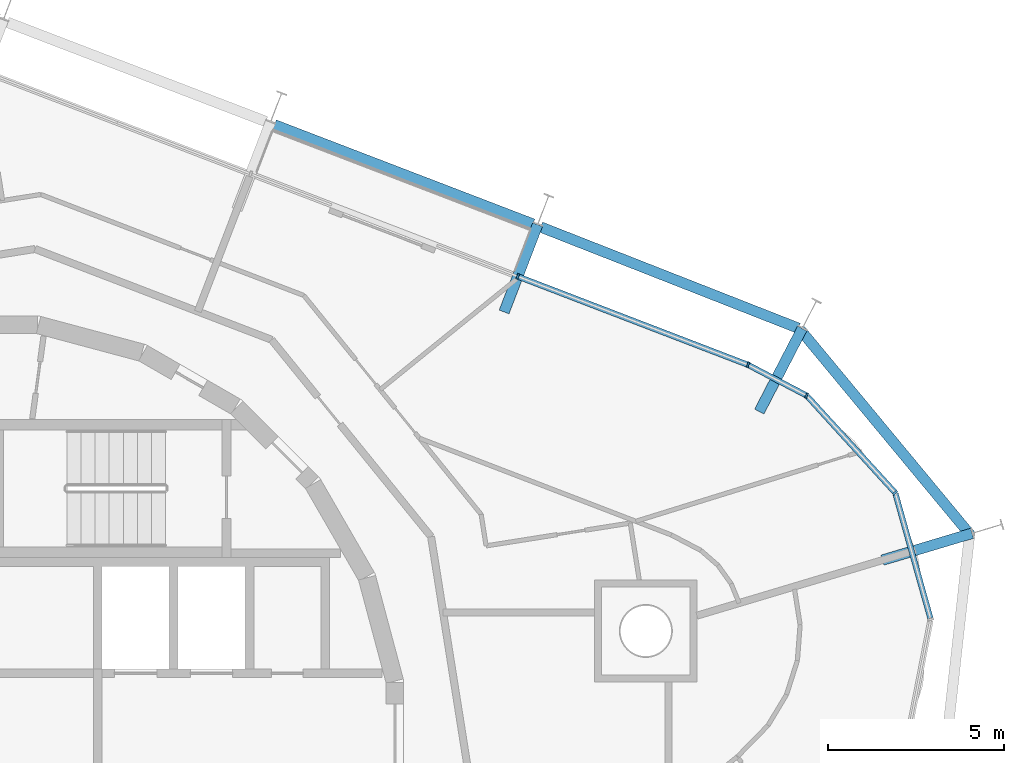
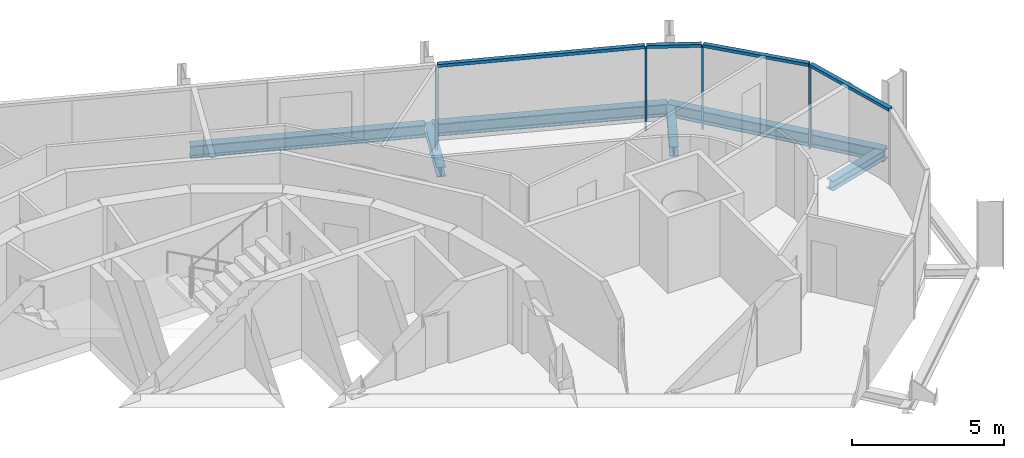
# One storey, part 9 of 17: 8 members, 6 beams, 2 elements without a shape of their own.
"""IFC4 building model written with IfcOpenShell, lengths in metres."""

from ifc_helpers import new_model, si_unit, direction, frame, origin, origin_2d, place, context, subcontext, project, spatial, rectangle, i_section, extrude, material, layer, layer_set, material_profile, profile_set, type_object, element, aggregate, save


model = new_model("IFC4")

# Units and contexts
model_context = context("Model", 3, precision=1e-05, world=origin(), true_north=direction((0.0, 1.0)))
body_context = subcontext(model_context, "Body", "Model", "MODEL_VIEW")
ifc_project = project(units=[si_unit("LENGTHUNIT", "METRE"), si_unit("AREAUNIT", "SQUARE_METRE"), si_unit("VOLUMEUNIT", "CUBIC_METRE"), si_unit("PLANEANGLEUNIT", "RADIAN"), si_unit("MASSUNIT", "GRAM", prefix="KILO")], contexts=[model_context])

# Site, building, storey
site_placement = place(None, origin())
site = spatial("IfcSite", under=ifc_project, at=site_placement, CompositionType="ELEMENT")
building_placement = place(site_placement, origin())
building = spatial("IfcBuilding", under=site, at=building_placement, Name="Spindle Arch Residences", CompositionType="ELEMENT")
storey_placement = place(building_placement, frame((0.0, 0.0, 287.89990234375)))
storey = spatial("IfcBuildingStorey", under=building, at=storey_placement, Name="L74", CompositionType="ELEMENT", Elevation=287.89990234375)

# Curtain wall, members
ifc_material_1 = material(Name="Aluminium bronze unitised frame with tinted glass", Category="aluminium")
ifc_layer_1 = layer(ifc_material_1, 0.159912109375)
ifc_layer_set_1 = layer_set([ifc_layer_1], Name="CW-D corner wall on the fillet arcs")
curtain_wall_type_1 = type_object("IfcCurtainWallType", Name="CW-D corner wall on the fillet arcs", PredefinedType="NOTDEFINED", material=ifc_layer_set_1)
curtain_wall_1_placement = place(storey_placement, origin())
curtain_wall_1 = element("IfcCurtainWall", 1, at=curtain_wall_1_placement, inside=storey, type_object=curtain_wall_type_1, Name="CW-D L74 run 1", PredefinedType="NOTDEFINED")
ifc_material_2 = material(Name="Aluminium bronze anodised mullion", Category="aluminium")
ifc_material_profile_1 = material_profile(ifc_material_2, rectangle(XDim=0.159912109375, YDim=0.06005859375, at=origin_2d()), Name="MU 60x160")
ifc_profile_set_1 = profile_set([ifc_material_profile_1], Name="Aluminium bronze anodised mullion")
member_type_1 = type_object("IfcMemberType", Name="Bronze mullion 60x160", PredefinedType="MULLION", material=ifc_profile_set_1)
member_1_placement = place(storey_placement, frame((25.826171875, 6.888427734375, -0.3798828125), z_axis=(0.0, 0.0, 1.0), x_axis=(-0.73923942464, -0.673442702134, 0.0)))
member_1 = element("IfcMember", 2, at=member_1_placement, type_object=member_type_1, Name="CW-D mullion 04", PredefinedType="MULLION", context=body_context, shape_type="SweptSolid", body=[
    extrude(rectangle(XDim=0.159912109375, YDim=0.06005859375, at=origin_2d()), origin(), (0.0, 0.0, 1.0), 3.31005859375),
])
member_2_placement = place(storey_placement, frame((23.316650390625, 9.643310546875, -0.3798828125), z_axis=(0.0, 0.0, 1.0), x_axis=(-0.464326860783, -0.885663912754, 0.0)))
member_2 = element("IfcMember", 3, at=member_2_placement, type_object=member_type_1, Name="CW-D mullion 05", PredefinedType="MULLION", context=body_context, shape_type="SweptSolid", body=[
    extrude(rectangle(XDim=0.159912109375, YDim=0.06005859375, at=origin_2d()), origin(), (0.0, 0.0, 1.0), 3.31005859375),
])
member_3_placement = place(storey_placement, frame((21.655029296875, 10.514404296875, -0.3798828125), z_axis=(0.0, 0.0, 1.0), x_axis=(-0.358367949545, -0.933580426497, 0.0)))
member_3 = element("IfcMember", 4, at=member_3_placement, type_object=member_type_1, Name="CW-D mullion 06", PredefinedType="MULLION", context=body_context, shape_type="SweptSolid", body=[
    extrude(rectangle(XDim=0.159912109375, YDim=0.06005859375, at=origin_2d()), origin(), (0.0, 0.0, 1.0), 3.31005859375),
])

# Curtain wall, member
ifc_material_3 = material(Name="Aluminium bronze unitised frame with tinted glass", Category="aluminium")
ifc_layer_2 = layer(ifc_material_3, 0.159912109375)
ifc_layer_set_2 = layer_set([ifc_layer_2], Name="CW-C typical residential unitised wall")
curtain_wall_type_2 = type_object("IfcCurtainWallType", Name="CW-C typical residential unitised wall", PredefinedType="NOTDEFINED", material=ifc_layer_set_2)
curtain_wall_2_placement = place(storey_placement, origin())
curtain_wall_2 = element("IfcCurtainWall", 5, at=curtain_wall_2_placement, inside=storey, type_object=curtain_wall_type_2, Name="CW-C L74 run 2", PredefinedType="NOTDEFINED")
member_4_placement = place(storey_placement, frame((15.12939453125, 13.01953125, -0.3798828125), z_axis=(0.0, 0.0, 1.0), x_axis=(-0.358367949545, -0.933580426497, 0.0)))
member_4 = element("IfcMember", 6, at=member_4_placement, type_object=member_type_1, Name="CW-C mullion 05", PredefinedType="MULLION", context=body_context, shape_type="SweptSolid", body=[
    extrude(rectangle(XDim=0.159912109375, YDim=0.06005859375, at=origin_2d()), origin(), (0.0, 0.0, 1.0), 3.31005859375),
])
aggregate(curtain_wall_2, [member_4])

# Member
ifc_material_4 = material(Name="Aluminium bronze anodised transom", Category="aluminium")
ifc_material_profile_2 = material_profile(ifc_material_4, rectangle(XDim=0.159912109375, YDim=0.1201171875, at=origin_2d()), Name="TR 120x160")
ifc_profile_set_2 = profile_set([ifc_material_profile_2], Name="Aluminium bronze anodised transom")
member_type_2 = type_object("IfcMemberType", Name="Bronze transom 120x160", PredefinedType="USERDEFINED", material=ifc_profile_set_2)
member_5_placement = place(storey_placement, frame((26.824462890625, 3.3291015625, 2.989990234375), z_axis=(-0.26999542292, 0.962861605633, 0.0), x_axis=(-0.962861605633, -0.26999542292, 0.0)))
member_5 = element("IfcMember", 7, at=member_5_placement, type_object=member_type_2, Name="CW-D transom 03", ObjectType="TRANSOM", PredefinedType="USERDEFINED", context=body_context, shape_type="SweptSolid", body=[
    extrude(rectangle(XDim=0.159912109375, YDim=0.1201171875, at=origin_2d()), origin(), (0.0, 0.0, 1.0), 3.666748046875),
])

member_6_placement = place(storey_placement, frame((25.80615234375, 6.91064453125, 2.989990234375), z_axis=(-0.673451190177, 0.739231691995, 0.0), x_axis=(-0.739231691995, -0.673451190177, 0.0)))
member_6 = element("IfcMember", 8, at=member_6_placement, type_object=member_type_2, Name="CW-D transom 04", ObjectType="TRANSOM", PredefinedType="USERDEFINED", context=body_context, shape_type="SweptSolid", body=[
    extrude(rectangle(XDim=0.159912109375, YDim=0.1201171875, at=origin_2d()), origin(), (0.0, 0.0, 1.0), 3.6669921875),
])

member_7_placement = place(storey_placement, frame((23.2900390625, 9.6572265625, 2.989990234375), z_axis=(-0.885657808089, 0.464338504726, 0.0), x_axis=(-0.464338504726, -0.885657808089, 0.0)))
member_7 = element("IfcMember", 9, at=member_7_placement, type_object=member_type_2, Name="CW-D transom 05", ObjectType="TRANSOM", PredefinedType="USERDEFINED", context=body_context, shape_type="SweptSolid", body=[
    extrude(rectangle(XDim=0.159912109375, YDim=0.1201171875, at=origin_2d()), origin(), (0.0, 0.0, 1.0), 1.816162109375),
])

member_8_placement = place(storey_placement, frame((21.626953125, 10.525390625, 2.989990234375), z_axis=(-0.933580580487, 0.358367548387, 0.0), x_axis=(-0.358367548387, -0.933580580487, 0.0)))
member_8 = element("IfcMember", 10, at=member_8_placement, type_object=member_type_2, Name="CW-D transom 06", ObjectType="TRANSOM", PredefinedType="USERDEFINED", context=body_context, shape_type="SweptSolid", body=[
    extrude(rectangle(XDim=0.159912109375, YDim=0.1201171875, at=origin_2d()), origin(), (0.0, 0.0, 1.0), 6.9296875),
])

aggregate(curtain_wall_1, [member_5, member_1, member_6, member_2, member_7, member_3, member_8])

# Beams
ifc_material_5 = material(Name="Steel S460ML, intumescent coating R 120", Category="steel")
ifc_material_profile_3 = material_profile(ifc_material_5, i_section(OverallWidth=0.300048828125, OverallDepth=0.5, WebThickness=0.014404296875, FlangeThickness=0.028076171875, FilletRadius=0.027099609375, at=origin_2d()), Name="HEB 500")
ifc_profile_set_3 = profile_set([ifc_material_profile_3], Name="Steel S460ML, intumescent coating R 120")
beam_type_1 = type_object("IfcBeamType", Name="Exoskeleton edge beam HEB 500", PredefinedType="BEAM", material=ifc_profile_set_3)
beam_1_placement = place(storey_placement, frame((27.982666015625, 5.661376953125, -0.6298828125), z_axis=(-0.638234616569, 0.769841915079, 0.0), x_axis=(-0.769841915079, -0.638234616569, 0.0)))
element("IfcBeam", 11, at=beam_1_placement, inside=storey, type_object=beam_type_1, Name="Exoskeleton edge beam 4", PredefinedType="BEAM", context=body_context, shape_type="SweptSolid", body=[
    extrude(i_section(OverallWidth=0.300048828125, OverallDepth=0.5, WebThickness=0.014404296875, FlangeThickness=0.028076171875, FilletRadius=0.027099609375, at=origin_2d()), origin(), (0.0, 0.0, 1.0), 7.6318359375),
])
beam_2_placement = place(storey_placement, frame((23.080810546875, 11.552490234375, -0.6298828125), z_axis=(-0.930820691929, 0.365476181818, 0.0), x_axis=(-0.365476181818, -0.930820691929, 0.0)))
element("IfcBeam", 12, at=beam_2_placement, inside=storey, type_object=beam_type_1, Name="Exoskeleton edge beam 5", PredefinedType="BEAM", context=body_context, shape_type="SweptSolid", body=[
    extrude(i_section(OverallWidth=0.300048828125, OverallDepth=0.5, WebThickness=0.014404296875, FlangeThickness=0.028076171875, FilletRadius=0.027099609375, at=origin_2d()), origin(), (0.0, 0.0, 1.0), 7.845703125),
])
beam_3_placement = place(storey_placement, frame((15.56005859375, 14.50390625, -0.6298828125), z_axis=(-0.933584338194, 0.358357759061, 0.0), x_axis=(-0.358357759061, -0.933584338194, 0.0)))
element("IfcBeam", 13, at=beam_3_placement, inside=storey, type_object=beam_type_1, Name="Exoskeleton edge beam 6", PredefinedType="BEAM", context=body_context, shape_type="SweptSolid", body=[
    extrude(i_section(OverallWidth=0.300048828125, OverallDepth=0.5, WebThickness=0.014404296875, FlangeThickness=0.028076171875, FilletRadius=0.027099609375, at=origin_2d()), origin(), (0.0, 0.0, 1.0), 7.84765625),
])
ifc_material_6 = material(Name="Steel S460ML, intumescent coating R 120", Category="steel")
ifc_material_profile_4 = material_profile(ifc_material_6, i_section(OverallWidth=0.300048828125, OverallDepth=0.389892578125, WebThickness=0.010986328125, FlangeThickness=0.01904296875, FilletRadius=0.027099609375, at=origin_2d()), Name="HEA 400")
ifc_profile_set_4 = profile_set([ifc_material_profile_4], Name="Steel S460ML, intumescent coating R 120")
beam_type_2 = type_object("IfcBeamType", Name="Floor outrigger HEA 400", PredefinedType="BEAM", material=ifc_profile_set_4)
for number, where, z_axis, x_axis, name in (
    (14, (28.00390625, 5.738525390625, -0.574951171875), (-0.958013730909, -0.286722324542, 0.0), (0.286722324542, -0.958013730909, 0.0), "Floor outrigger 4"),
    (15, (23.19140625, 11.543212890625, -0.574951171875), (-0.459260001196, -0.888301891983, 0.0), (0.888301891983, -0.459260001196, 0.0), "Floor outrigger 5"),
    (16, (15.692138671875, 14.485107421875, -0.574951171875), (-0.358392499624, -0.933571002234, 0.0), (0.933571002234, -0.358392499624, 0.0), "Floor outrigger 6"),
):
    element("IfcBeam", number, at=place(storey_placement, frame(where, z_axis=z_axis, x_axis=x_axis)), inside=storey, type_object=beam_type_2, Name=name, PredefinedType="BEAM", context=body_context, shape_type="SweptSolid", body=[
        extrude(i_section(OverallWidth=0.300048828125, OverallDepth=0.389892578125, WebThickness=0.010986328125, FlangeThickness=0.01904296875, FilletRadius=0.027099609375, at=origin_2d()), origin(), (0.0, 0.0, 1.0), 2.64990234375),
    ])

save(model, "model.ifc")
